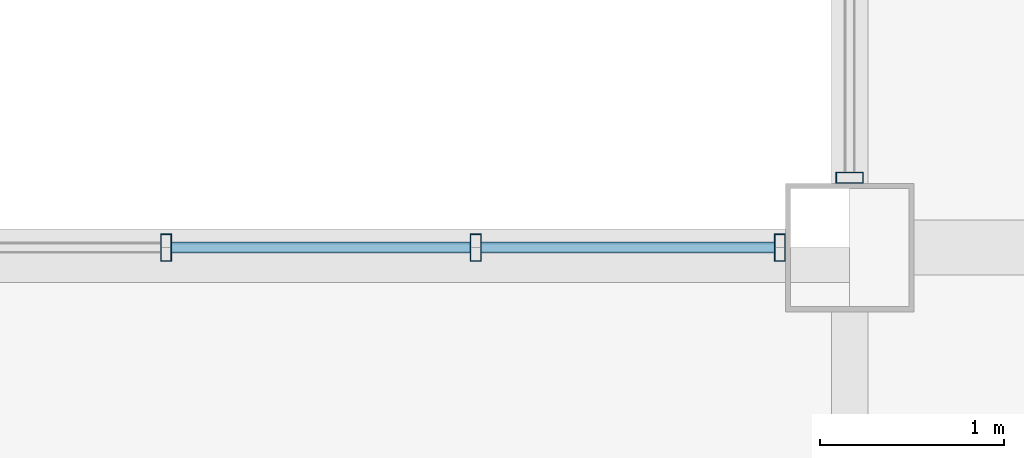
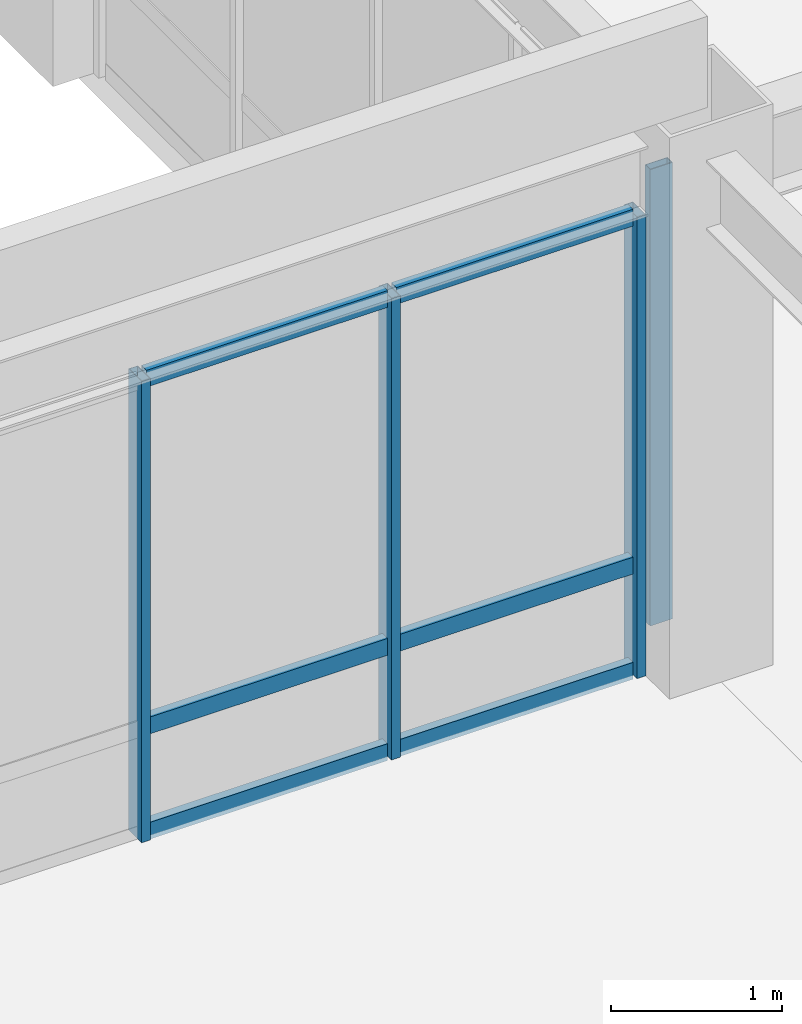
# One storey, part 81 of 122: 10 members, 2 elements without a shape of their own.
"""IFC4 building model written with IfcOpenShell, lengths in metres."""

from ifc_helpers import new_model, si_unit, direction, frame, origin, origin_2d, place, context, subcontext, project, spatial, hollow_rectangle, extrude, material, material_profile, profile_set, type_object, element, aggregate, save


model = new_model("IFC4")

# Units and contexts
model_context = context("Model", 3, precision=1e-05, world=origin(), true_north=direction((0.0, 1.0)))
body_context = subcontext(model_context, "Body", "Model", "MODEL_VIEW")
ifc_project = project(units=[si_unit("LENGTHUNIT", "METRE"), si_unit("AREAUNIT", "SQUARE_METRE"), si_unit("VOLUMEUNIT", "CUBIC_METRE"), si_unit("PLANEANGLEUNIT", "RADIAN"), si_unit("MASSUNIT", "GRAM", prefix="KILO")], contexts=[model_context])

# Site, building, storey
site_placement = place(None, origin())
site = spatial("IfcSite", under=ifc_project, at=site_placement, CompositionType="ELEMENT")
building_placement = place(site_placement, origin())
building = spatial("IfcBuilding", under=site, at=building_placement, Name="Kazanami Central Library", CompositionType="ELEMENT")
storey_placement = place(building_placement, frame((0.0, 0.0, 4.800048828125)))
storey = spatial("IfcBuildingStorey", under=building, at=storey_placement, Name="L02", CompositionType="ELEMENT", Elevation=4.800048828125)

# Curtain wall, members
ifc_material_1 = material(Name="Acid-Etched Low-E Laminated Glass", Category="glass")
curtain_wall_type_1 = type_object("IfcCurtainWallType", Name="CW-8425x3290-M180", PredefinedType="USERDEFINED", material=ifc_material_1)
curtain_wall_1_placement = place(storey_placement, origin())
curtain_wall_1 = element("IfcCurtainWall", 1, at=curtain_wall_1_placement, inside=storey, type_object=curtain_wall_type_1, Name="Covered Link Bridge Curtain Wall CW-18 L02 N-M-12", ObjectType="UNITISED CURTAIN WALL", PredefinedType="USERDEFINED")
ifc_material_2 = material(Name="Anodised Aluminium A6063-T5", Category="aluminium")
ifc_material_profile_1 = material_profile(ifc_material_2, hollow_rectangle(XDim=0.06005859375, YDim=0.14990234375, WallThickness=0.00390625, at=origin_2d()), Name="ALU-MULL-60x150x4")
ifc_profile_set_1 = profile_set([ifc_material_profile_1], Name="Anodised Aluminium A6063-T5")
member_type_1 = type_object("IfcMemberType", Name="MEM-CW-M3", PredefinedType="MULLION", material=ifc_profile_set_1)
member_1_placement = place(storey_placement, frame((116.6201171875, 79.199951171875, 0.0), z_axis=(0.0, 0.0, 1.0), x_axis=(-1.0, 0.0, 0.0)))
member_1 = element("IfcMember", 2, at=member_1_placement, type_object=member_type_1, Name="CW-18 mullion 1", PredefinedType="MULLION", context=body_context, shape_type="SweptSolid", body=[
    extrude(hollow_rectangle(XDim=0.06005859375, YDim=0.14990234375, WallThickness=0.00390625, at=origin_2d()), origin(), (0.0, 0.0, 1.0), 3.2900390625),
])
member_2_placement = place(storey_placement, frame((114.965087890625, 79.199951171875, 0.0), z_axis=(0.0, 0.0, 1.0), x_axis=(-1.0, 0.0, 0.0)))
member_2 = element("IfcMember", 3, at=member_2_placement, type_object=member_type_1, Name="CW-18 mullion 2", PredefinedType="MULLION", context=body_context, shape_type="SweptSolid", body=[
    extrude(hollow_rectangle(XDim=0.06005859375, YDim=0.14990234375, WallThickness=0.00390625, at=origin_2d()), origin(), (0.0, 0.0, 1.0), 3.2900390625),
])
member_3_placement = place(storey_placement, frame((113.280029296875, 79.199951171875, 0.0), z_axis=(0.0, 0.0, 1.0), x_axis=(-1.0, 0.0, 0.0)))
member_3 = element("IfcMember", 4, at=member_3_placement, type_object=member_type_1, Name="CW-18 mullion 3", PredefinedType="MULLION", context=body_context, shape_type="SweptSolid", body=[
    extrude(hollow_rectangle(XDim=0.06005859375, YDim=0.14990234375, WallThickness=0.00390625, at=origin_2d()), origin(), (0.0, 0.0, 1.0), 3.2900390625),
])

# Curtain wall, member
curtain_wall_type_2 = type_object("IfcCurtainWallType", Name="CW-6500x3255-M180", PredefinedType="USERDEFINED", material=ifc_material_1)
curtain_wall_2_placement = place(storey_placement, origin())
curtain_wall_2 = element("IfcCurtainWall", 5, at=curtain_wall_2_placement, inside=storey, type_object=curtain_wall_type_2, Name="Covered Link Bridge Curtain Wall CW-23 L02 W-14-11", ObjectType="UNITISED CURTAIN WALL", PredefinedType="USERDEFINED")
member_4_placement = place(storey_placement, frame((117.0, 79.580078125, 0.0), z_axis=(0.0, 0.0, 1.0), x_axis=(0.0, 1.0, 0.0)))
member_4 = element("IfcMember", 6, at=member_4_placement, type_object=member_type_1, Name="CW-23 mullion 1", PredefinedType="MULLION", context=body_context, shape_type="SweptSolid", body=[
    extrude(hollow_rectangle(XDim=0.06005859375, YDim=0.14990234375, WallThickness=0.00390625, at=origin_2d()), origin(), (0.0, 0.0, 1.0), 3.2548828125),
])
aggregate(curtain_wall_2, [member_4])

# Member
ifc_material_profile_2 = material_profile(ifc_material_2, hollow_rectangle(XDim=0.06005859375, YDim=0.1201171875, WallThickness=0.00341796875, at=origin_2d()), Name="ALU-TRAN-60x120x3.5")
ifc_profile_set_2 = profile_set([ifc_material_profile_2], Name="Anodised Aluminium A6063-T5")
member_type_2 = type_object("IfcMemberType", Name="MEM-CW-T3", PredefinedType="USERDEFINED", material=ifc_profile_set_2)
member_5_placement = place(storey_placement, frame((116.590087890625, 79.199951171875, 0.030029296875), z_axis=(-1.0, 0.0, 0.0), x_axis=(0.0, -1.0, 0.0)))
member_5 = element("IfcMember", 7, at=member_5_placement, type_object=member_type_2, Name="CW-18 transom 1.1", ObjectType="TRANSOM", PredefinedType="USERDEFINED", context=body_context, shape_type="SweptSolid", body=[
    extrude(hollow_rectangle(XDim=0.06005859375, YDim=0.1201171875, WallThickness=0.00341796875, at=origin_2d()), origin(), (0.0, 0.0, 1.0), 1.594970703125),
])

member_6_placement = place(storey_placement, frame((116.590087890625, 79.199951171875, 0.780029296875), z_axis=(-1.0, 0.0, 0.0), x_axis=(0.0, -1.0, 0.0)))
member_6 = element("IfcMember", 8, at=member_6_placement, type_object=member_type_2, Name="CW-18 transom 1.2", ObjectType="TRANSOM", PredefinedType="USERDEFINED", context=body_context, shape_type="SweptSolid", body=[
    extrude(hollow_rectangle(XDim=0.06005859375, YDim=0.1201171875, WallThickness=0.00341796875, at=origin_2d()), origin(), (0.0, 0.0, 1.0), 1.594970703125),
])

member_7_placement = place(storey_placement, frame((116.590087890625, 79.199951171875, 3.260009765625), z_axis=(-1.0, 0.0, 0.0), x_axis=(0.0, -1.0, 0.0)))
member_7 = element("IfcMember", 9, at=member_7_placement, type_object=member_type_2, Name="CW-18 transom 1.3", ObjectType="TRANSOM", PredefinedType="USERDEFINED", context=body_context, shape_type="SweptSolid", body=[
    extrude(hollow_rectangle(XDim=0.06005859375, YDim=0.1201171875, WallThickness=0.00341796875, at=origin_2d()), origin(), (0.0, 0.0, 1.0), 1.594970703125),
])

member_8_placement = place(storey_placement, frame((114.93505859375, 79.199951171875, 0.030029296875), z_axis=(-1.0, 0.0, 0.0), x_axis=(0.0, -1.0, 0.0)))
member_8 = element("IfcMember", 10, at=member_8_placement, type_object=member_type_2, Name="CW-18 transom 2.1", ObjectType="TRANSOM", PredefinedType="USERDEFINED", context=body_context, shape_type="SweptSolid", body=[
    extrude(hollow_rectangle(XDim=0.06005859375, YDim=0.1201171875, WallThickness=0.00341796875, at=origin_2d()), origin(), (0.0, 0.0, 1.0), 1.625),
])

member_9_placement = place(storey_placement, frame((114.93505859375, 79.199951171875, 0.780029296875), z_axis=(-1.0, 0.0, 0.0), x_axis=(0.0, -1.0, 0.0)))
member_9 = element("IfcMember", 11, at=member_9_placement, type_object=member_type_2, Name="CW-18 transom 2.2", ObjectType="TRANSOM", PredefinedType="USERDEFINED", context=body_context, shape_type="SweptSolid", body=[
    extrude(hollow_rectangle(XDim=0.06005859375, YDim=0.1201171875, WallThickness=0.00341796875, at=origin_2d()), origin(), (0.0, 0.0, 1.0), 1.625),
])

member_10_placement = place(storey_placement, frame((114.93505859375, 79.199951171875, 3.260009765625), z_axis=(-1.0, 0.0, 0.0), x_axis=(0.0, -1.0, 0.0)))
member_10 = element("IfcMember", 12, at=member_10_placement, type_object=member_type_2, Name="CW-18 transom 2.3", ObjectType="TRANSOM", PredefinedType="USERDEFINED", context=body_context, shape_type="SweptSolid", body=[
    extrude(hollow_rectangle(XDim=0.06005859375, YDim=0.1201171875, WallThickness=0.00341796875, at=origin_2d()), origin(), (0.0, 0.0, 1.0), 1.625),
])

aggregate(curtain_wall_1, [member_1, member_2, member_3, member_5, member_6, member_7, member_8, member_9, member_10])

save(model, "model.ifc")
